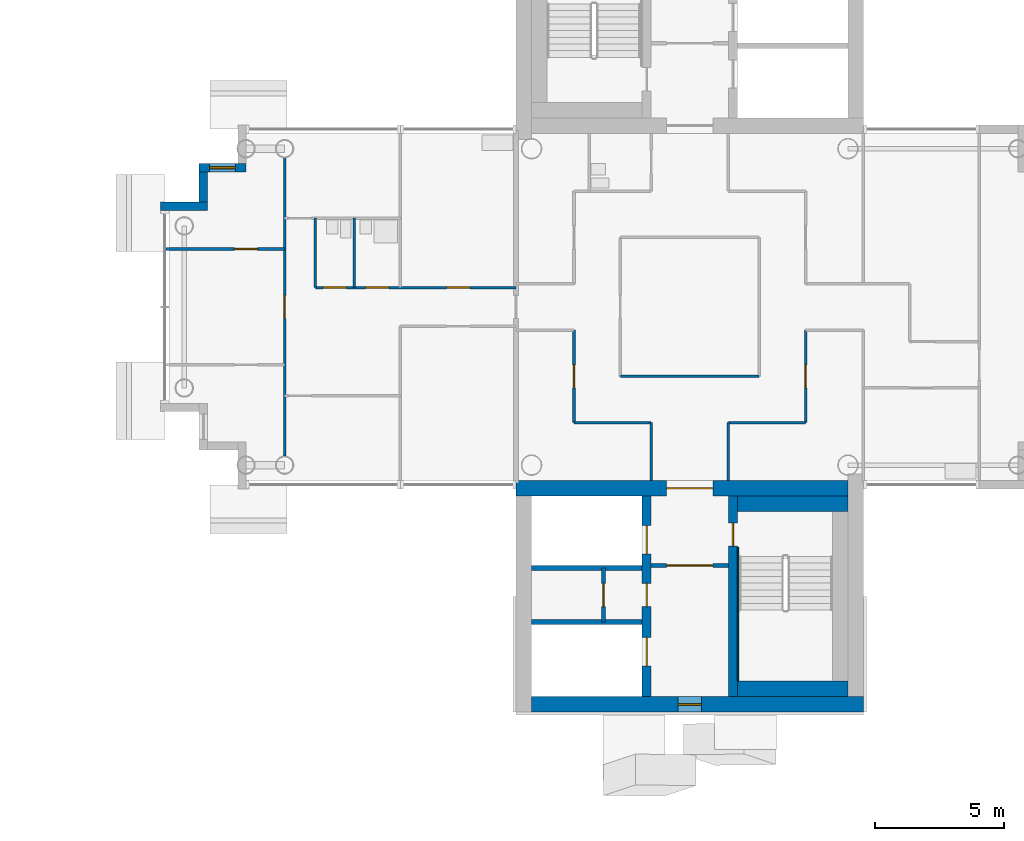
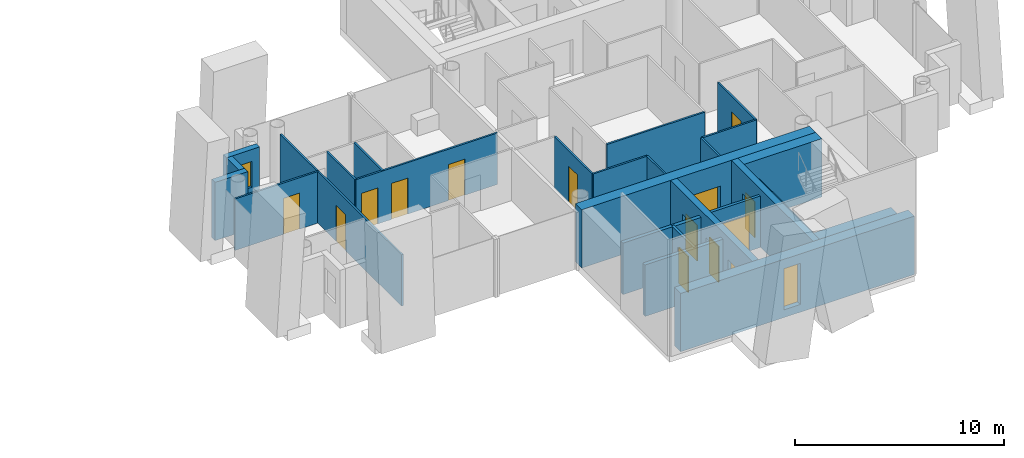
# One storey, part 9 of 18: 26 walls, 14 doors, 2 windows, 16 openings.
"""IFC4 building model written with IfcOpenShell, lengths in metres."""

import ifcopenshell
import ifcopenshell.guid

model = None  # the IFC model being written
_history = None  # IfcOwnerHistory: only IFC2X3 demands one
_inside = {}  # id of a spatial element -> (the spatial element, [elements in it])
_under = {}  # id of a project, library or spatial element -> (it, [spatial elements below it])
_declared = {}  # id of a project -> (the project, [libraries it declares])
_typed = {}  # id of a type object -> (the type object, [elements of that type])
_made_of = {}  # id of a material, layer set ... -> (it, [elements and type objects made of it])


def new_model(schema):
    """Start an empty IFC model of exactly this schema.

    Asked for "IFC4X3", IfcOpenShell would pick the latest addendum, in which some entities
    have other attributes; the version numbers below select the first issue.
    IFC2X3 requires an IfcOwnerHistory on every rooted entity: one is made here for all.
    """
    global model, _history
    if schema == "IFC4X3":
        model = ifcopenshell.file(schema_version=(4, 3, 0, 0))
    else:
        model = ifcopenshell.file(schema=schema)
    _inside.clear()
    _under.clear()
    _declared.clear()
    _typed.clear()
    _made_of.clear()
    _history = None
    if model.schema == "IFC2X3":
        org = make("IfcOrganization", Name="unknown")
        user = make(
            "IfcPersonAndOrganization",
            ThePerson=make("IfcPerson", FamilyName="unknown"),
            TheOrganization=org,
        )
        app = make(
            "IfcApplication",
            ApplicationDeveloper=org,
            Version="unknown",
            ApplicationFullName="unknown",
            ApplicationIdentifier="unknown",
        )
        _history = make(
            "IfcOwnerHistory",
            OwningUser=user,
            OwningApplication=app,
            ChangeAction="ADDED",
            CreationDate=0,
        )
    return model


def make(cls, **values):
    """One entity of the class cls with the attributes given. An attribute that is None is left unset."""
    return model.create_entity(
        cls, **{name: value for name, value in values.items() if value is not None}
    )


def rooted(cls, **values):
    """An entity with a GlobalId (a new one), such as an element, a storey or a relation."""
    return make(cls, GlobalId=ifcopenshell.guid.new(), OwnerHistory=_history, **values)


def si_unit(unit_type, name, prefix=None):
    """IfcSIUnit, for example si_unit("LENGTHUNIT", "METRE", prefix="MILLI")."""
    return make("IfcSIUnit", UnitType=unit_type, Prefix=prefix, Name=name)


def assignment(units):
    """IfcUnitAssignment: the units of a project."""
    return None if units is None else make("IfcUnitAssignment", Units=units)


def point(xyz):
    """IfcCartesianPoint."""
    return None if xyz is None else make("IfcCartesianPoint", Coordinates=xyz)


def direction(xyz):
    """IfcDirection."""
    return None if xyz is None else make("IfcDirection", DirectionRatios=xyz)


def frame(location, z_axis=None, x_axis=None):
    """IfcAxis2Placement3D, a coordinate frame: its origin and axes. An axis left out is left unset."""
    return make(
        "IfcAxis2Placement3D",
        Location=point(location),
        Axis=direction(z_axis),
        RefDirection=direction(x_axis),
    )


def frame_2d(location, x_axis=None):
    """IfcAxis2Placement2D, a coordinate frame in the plane: its origin and x axis."""
    return make(
        "IfcAxis2Placement2D", Location=point(location), RefDirection=direction(x_axis)
    )


def origin():
    """The frame at (0, 0, 0) with its axes left unset."""
    return frame((0.0, 0.0, 0.0))


def place(relative_to, where):
    """IfcLocalPlacement: puts the frame where relative to a parent placement (None: the world)."""
    return make(
        "IfcLocalPlacement", PlacementRelTo=relative_to, RelativePlacement=where
    )


def context(
    kind, dimensions, precision=None, world=None, true_north=None, identifier=None
):
    """IfcGeometricRepresentationContext, for example the 3D "Model" context."""
    return make(
        "IfcGeometricRepresentationContext",
        ContextIdentifier=identifier,
        ContextType=kind,
        CoordinateSpaceDimension=dimensions,
        Precision=precision,
        WorldCoordinateSystem=world,
        TrueNorth=true_north,
    )


def subcontext(parent, identifier, kind, view, scale=None):
    """IfcGeometricRepresentationSubContext, for example "Body" below "Model"."""
    return make(
        "IfcGeometricRepresentationSubContext",
        ContextIdentifier=identifier,
        ContextType=kind,
        ParentContext=parent,
        TargetScale=scale,
        TargetView=view,
    )


def project(units=None, contexts=None):
    """IfcProject with its units and contexts."""
    return rooted(
        "IfcProject",
        Name="project",
        RepresentationContexts=contexts,
        UnitsInContext=assignment(units),
    )


def spatial(cls, under=None, at=None, **own):
    """A site, building, storey or space (cls), placed at a placement, below another one or the project."""
    s = rooted(cls, ObjectPlacement=at, **own)
    if under is not None:
        _under.setdefault(under.id(), (under, []))[1].append(s)
    return s


def profile(cls, at=None, kind="AREA", **sizes):
    """A parametric profile (cls). Its sizes go by their IFC names, for example OverallWidth=200.0."""
    return make(cls, ProfileType=kind, Position=at, **sizes)


def rectangle(**sizes):
    """IfcRectangleProfileDef."""
    return profile("IfcRectangleProfileDef", **sizes)


def extrude(swept, where, along, depth):
    """IfcExtrudedAreaSolid: the profile swept, set in the frame where, extruded along a direction by depth."""
    return make(
        "IfcExtrudedAreaSolid",
        SweptArea=swept,
        Position=where,
        ExtrudedDirection=direction(along),
        Depth=depth,
    )


def shape(context_of_items, identifier, shape_type, items):
    """IfcShapeRepresentation: the items that make up one representation, for example the "Body"."""
    return make(
        "IfcShapeRepresentation",
        ContextOfItems=context_of_items,
        RepresentationIdentifier=identifier,
        RepresentationType=shape_type,
        Items=items,
    )


def material(Name=None, Category=None):
    """IfcMaterial."""
    return make("IfcMaterial", Name=Name, Category=Category)


def layer(
    of_material, thickness, ventilated=None, Name=None, Category=None, Priority=None
):
    """IfcMaterialLayer: one layer of a wall or slab, of a material (None: an air gap)."""
    return make(
        "IfcMaterialLayer",
        Material=of_material,
        LayerThickness=thickness,
        IsVentilated=ventilated,
        Name=Name,
        Category=Category,
        Priority=Priority,
    )


def layer_set(layers, Name=None):
    """IfcMaterialLayerSet."""
    return make("IfcMaterialLayerSet", MaterialLayers=layers, LayerSetName=Name)


def made_of(thing, what):
    """Note that an element or type object is made of a material, layer set ...; save() writes the relation."""
    if what is not None:
        _made_of.setdefault(what.id(), (what, []))[1].append(thing)
    return thing


def type_object(cls, material=None, **own):
    """A type object (cls), such as IfcWallType, which elements share."""
    return made_of(rooted(cls, **own), material)


def element(
    cls,
    number,
    at=None,
    inside=None,
    cuts=None,
    type_object=None,
    material=None,
    context=None,
    identifier="Body",
    shape_type=None,
    held_by="IfcProductDefinitionShape",
    body=None,
    shapes=None,
    **own,
):
    """One element of the class cls, such as IfcWall. Its Tag is "e" and its number.

    at: its placement. inside: the storey or other place that contains it. cuts: it is an
    opening in that element (IfcRelVoidsElement). A single representation is given by context,
    identifier, shape_type and body (its items); several are given by shapes. held_by: the class
    of the entity that holds the representations. save() writes the other relations.
    """
    e = rooted(cls, Tag="e%d" % number, ObjectPlacement=at, **own)
    if body is not None:
        shapes = [shape(context, identifier, shape_type, body)]
    if shapes is not None:
        e.Representation = make(held_by, Representations=shapes)
    if inside is not None:
        _inside.setdefault(inside.id(), (inside, []))[1].append(e)
    if cuts is not None:
        rooted(
            "IfcRelVoidsElement", RelatingBuildingElement=cuts, RelatedOpeningElement=e
        )
    if type_object is not None:
        _typed.setdefault(type_object.id(), (type_object, []))[1].append(e)
    return made_of(e, material)


def fill(opening, filler):
    """IfcRelFillsElement: the door or window that sits in an opening."""
    return rooted(
        "IfcRelFillsElement",
        RelatingOpeningElement=opening,
        RelatedBuildingElement=filler,
    )


def aggregate(whole, parts):
    """IfcRelAggregates: a whole, such as a stair, and the parts it consists of."""
    return rooted("IfcRelAggregates", RelatingObject=whole, RelatedObjects=parts)


def save(model, path):
    """Write the relations noted so far, then the file.

    IfcRelAggregates (storeys below a building ...), IfcRelContainedInSpatialStructure (elements
    in a storey), IfcRelDefinesByType, IfcRelAssociatesMaterial and IfcRelDeclares: one each for
    every whole, place, type object, material and project.
    """
    for whole, parts in _under.values():
        aggregate(whole, parts)
    for where, things in _inside.values():
        rooted(
            "IfcRelContainedInSpatialStructure",
            RelatedElements=things,
            RelatingStructure=where,
        )
    for kind, things in _typed.values():
        rooted("IfcRelDefinesByType", RelatedObjects=things, RelatingType=kind)
    for what, things in _made_of.values():
        rooted("IfcRelAssociatesMaterial", RelatedObjects=things, RelatingMaterial=what)
    for by, libraries in _declared.values():
        rooted("IfcRelDeclares", RelatingContext=by, RelatedDefinitions=libraries)
    model.write(path)


model = new_model("IFC4")

# Units and contexts
model_context = context("Model", 3, precision=1e-05, world=origin(), true_north=direction((0.0, 1.0)))
body_context = subcontext(model_context, "Body", "Model", "MODEL_VIEW")
ifc_project = project(units=[si_unit("LENGTHUNIT", "METRE"), si_unit("AREAUNIT", "SQUARE_METRE"), si_unit("VOLUMEUNIT", "CUBIC_METRE"), si_unit("PLANEANGLEUNIT", "RADIAN"), si_unit("MASSUNIT", "GRAM", prefix="KILO")], contexts=[model_context])

# Site, building, storey
site_placement = place(None, origin())
site = spatial("IfcSite", under=ifc_project, at=site_placement, CompositionType="ELEMENT")
building_placement = place(site_placement, origin())
building = spatial("IfcBuilding", under=site, at=building_placement, Name="Ipe Terrace Towers", CompositionType="ELEMENT")
storey_placement = place(building_placement, frame((0.0, 0.0, 196.0)))
storey = spatial("IfcBuildingStorey", under=building, at=storey_placement, Name="L54", CompositionType="ELEMENT", Elevation=196.0)

# Wall, opening, window
ifc_material_1 = material(Name="Concrete C40/50 with buff precast cladding", Category="concrete")
ifc_layer_1 = layer(ifc_material_1, 0.320068359375)
ifc_layer_set_1 = layer_set([ifc_layer_1], Name="BUFF CLADDING WALL 320")
wall_type_1 = type_object("IfcWallType", Name="BUFF CLADDING WALL 320", PredefinedType="STANDARD", material=ifc_layer_set_1)
wall_1_placement = place(storey_placement, frame((18.75, 5.409912109375, -0.300048828125), z_axis=(0.0, 0.0, 1.0), x_axis=(-1.0, 0.0, 0.0)))
wall_1 = element("IfcWall", 1, at=wall_1_placement, inside=storey, type_object=wall_type_1, Name="T2-W-L54-23a wall", PredefinedType="STANDARD", context=body_context, shape_type="SweptSolid", body=[
    extrude(rectangle(XDim=1.820068359375, YDim=0.320068359375, at=frame_2d((0.91015625, 0.0))), origin(), (0.0, 0.0, 1.0), 3.400146484375),
])
opening_1_placement = place(wall_1_placement, frame((0.409912109375, 0.0, 1.199951171875)))
opening_1 = element("IfcOpeningElement", 2, at=opening_1_placement, cuts=wall_1, Name="Opening T2-W-05-L54-02", PredefinedType="OPENING", context=body_context, shape_type="SweptSolid", body=[
    extrude(rectangle(XDim=1.0, YDim=1.5, at=frame_2d((0.5, 0.75))), frame((0.0, 0.169921875, 0.0), z_axis=(0.0, -1.0, 0.0), x_axis=(1.0, 0.0, 0.0)), (0.0, 0.0, 1.0), 0.340087890625),
])
ifc_material_2 = material(Name="Glass, clear laminated", Category="glass")
window_type_1 = type_object("IfcWindowType", Name="DWELLING WINDOW 1000 x 1500", PartitioningType="SINGLE_PANEL", PredefinedType="WINDOW", material=ifc_material_2)
window_1_placement = place(opening_1_placement, origin())
window_1 = element("IfcWindow", 3, at=window_1_placement, inside=storey, type_object=window_type_1, Name="W-05 window", OverallHeight=1.5, OverallWidth=1.0, PartitioningType="SINGLE_PANEL", PredefinedType="WINDOW", context=body_context, shape_type="SweptSolid", body=[
    extrude(rectangle(XDim=1.0, YDim=1.5, at=frame_2d((0.5, 0.75))), frame((0.0, 0.030029296875, 0.0), z_axis=(0.0, -1.0, 0.0), x_axis=(1.0, 0.0, 0.0)), (0.0, 0.0, 1.0), 0.06005859375),
])
fill(opening_1, window_1)

# Walls
wall_2_placement = place(storey_placement, frame((17.090087890625, 5.25, -0.300048828125), z_axis=(0.0, 0.0, 1.0), x_axis=(0.0, -1.0, 0.0)))
element("IfcWall", 4, at=wall_2_placement, inside=storey, type_object=wall_type_1, Name="T2-W-L54-24a wall", PredefinedType="STANDARD", context=body_context, shape_type="SweptSolid", body=[
    extrude(rectangle(XDim=1.179931640625, YDim=0.320068359375, at=frame_2d((0.58984375, 0.0))), origin(), (0.0, 0.0, 1.0), 3.400146484375),
])
wall_3_placement = place(storey_placement, frame((17.25, 3.909912109375, -0.300048828125), z_axis=(0.0, 0.0, 1.0), x_axis=(-1.0, 0.0, 0.0)))
element("IfcWall", 5, at=wall_3_placement, inside=storey, type_object=wall_type_1, Name="T2-W-L54-25a wall", PredefinedType="STANDARD", context=body_context, shape_type="SweptSolid", body=[
    extrude(rectangle(XDim=1.820068359375, YDim=0.320068359375, at=frame_2d((0.91015625, 0.0))), origin(), (0.0, 0.0, 1.0), 3.400146484375),
])
ifc_material_3 = material(Name="Gypsum board partition", Category="plasterboard")
ifc_layer_2 = layer(ifc_material_3, 0.10009765625)
ifc_layer_set_2 = layer_set([ifc_layer_2], Name="Gypsum board partition 100 mm")
wall_type_2 = type_object("IfcWallType", Name="Gypsum board partition 100 mm", PredefinedType="PARTITIONING", material=ifc_layer_set_2)
for number, where, z_axis, x_axis, name in (
    (6, (40.5, -4.5, 0.0), (0.0, 0.0, 1.0), (-1.0, 0.0, 0.0), "Gypsum board partition T2 L54 W01"),
    (7, (34.5, -4.5, 0.0), (0.0, 0.0, 1.0), (-1.0, 0.0, 0.0), "Gypsum board partition T2 L54 W02"),
):
    element("IfcWall", number, at=place(storey_placement, frame(where, z_axis=z_axis, x_axis=x_axis)), inside=storey, type_object=wall_type_2, Name=name, PredefinedType="PARTITIONING", context=body_context, shape_type="SweptSolid", body=[
        extrude(rectangle(XDim=3.0, YDim=0.10009765625, at=frame_2d((1.5, 0.0))), origin(), (0.0, 0.0, 1.0), 3.0),
    ])
wall_4_placement = place(storey_placement, frame((38.699951171875, -2.699951171875, 0.0), z_axis=(0.0, 0.0, 1.0), x_axis=(-1.0, 0.0, 0.0)))
element("IfcWall", 8, at=wall_4_placement, inside=storey, type_object=wall_type_2, Name="Gypsum board partition T2 L54 W05", PredefinedType="PARTITIONING", context=body_context, shape_type="SweptSolid", body=[
    extrude(rectangle(XDim=5.39990234375, YDim=0.10009765625, at=frame_2d((2.699951171875, 0.0))), origin(), (0.0, 0.0, 1.0), 3.0),
])

# Wall, openings, doors
wall_5_placement = place(storey_placement, frame((29.25, 0.75, 0.0), z_axis=(0.0, 0.0, 1.0), x_axis=(-1.0, 0.0, 0.0)))
wall_5 = element("IfcWall", 9, at=wall_5_placement, inside=storey, type_object=wall_type_2, Name="Gypsum board partition T2 L54 W11", PredefinedType="PARTITIONING", context=body_context, shape_type="SweptSolid", body=[
    extrude(rectangle(XDim=7.800048828125, YDim=0.10009765625, at=frame_2d((3.89990234375, 0.0))), origin(), (0.0, 0.0, 1.0), 3.0),
])
opening_2_placement = place(wall_5_placement, frame((1.800048828125, 0.0, 0.0)))
opening_2 = element("IfcOpeningElement", 10, at=opening_2_placement, cuts=wall_5, Name="Opening T2-Z4D-08", PredefinedType="OPENING", context=body_context, shape_type="SweptSolid", body=[
    extrude(rectangle(XDim=0.89990234375, YDim=2.10009765625, at=frame_2d((0.449951171875, 1.050048828125))), frame((0.0, 0.06005859375, 0.0), z_axis=(0.0, -1.0, 0.0), x_axis=(1.0, 0.0, 0.0)), (0.0, 0.0, 1.0), 0.1201171875),
])
opening_3_placement = place(wall_5_placement, frame((4.949951171875, 0.0, 0.0)))
opening_3 = element("IfcOpeningElement", 11, at=opening_3_placement, cuts=wall_5, Name="Opening T2-Z4D-10", PredefinedType="OPENING", context=body_context, shape_type="SweptSolid", body=[
    extrude(rectangle(XDim=0.89990234375, YDim=2.10009765625, at=frame_2d((0.449951171875, 1.050048828125))), frame((0.0, 0.06005859375, 0.0), z_axis=(0.0, -1.0, 0.0), x_axis=(1.0, 0.0, 0.0)), (0.0, 0.0, 1.0), 0.1201171875),
])
opening_4_placement = place(wall_5_placement, frame((6.60009765625, 0.0, 0.0)))
opening_4 = element("IfcOpeningElement", 12, at=opening_4_placement, cuts=wall_5, Name="Opening T2-Z4D-11", PredefinedType="OPENING", context=body_context, shape_type="SweptSolid", body=[
    extrude(rectangle(XDim=0.89990234375, YDim=2.10009765625, at=frame_2d((0.449951171875, 1.050048828125))), frame((0.0, 0.06005859375, 0.0), z_axis=(0.0, -1.0, 0.0), x_axis=(1.0, 0.0, 0.0)), (0.0, 0.0, 1.0), 0.1201171875),
])
ifc_material_4 = material(Name="Timber door leaf", Category="wood")
door_type_1 = type_object("IfcDoorType", Name="Bathroom door 900 x 2100", OperationType="NOTDEFINED", PredefinedType="DOOR", material=ifc_material_4)
door_1_placement = place(opening_3_placement, origin())
door_1 = element("IfcDoor", 13, at=door_1_placement, inside=storey, type_object=door_type_1, Name="Bathroom door T2-Z4D-10", OperationType="SINGLE_SWING_RIGHT", OverallHeight=2.10009765625, OverallWidth=0.89990234375, PredefinedType="DOOR", context=body_context, shape_type="SweptSolid", body=[
    extrude(rectangle(XDim=0.89990234375, YDim=2.10009765625, at=frame_2d((0.449951171875, 1.050048828125))), frame((0.0, 0.02490234375, 0.0), z_axis=(0.0, -1.0, 0.0), x_axis=(1.0, 0.0, 0.0)), (0.0, 0.0, 1.0), 0.050048828125),
])
fill(opening_3, door_1)
door_2_placement = place(opening_4_placement, origin())
door_2 = element("IfcDoor", 14, at=door_2_placement, inside=storey, type_object=door_type_1, Name="Bathroom door T2-Z4D-11", OperationType="SINGLE_SWING_RIGHT", OverallHeight=2.10009765625, OverallWidth=0.89990234375, PredefinedType="DOOR", context=body_context, shape_type="SweptSolid", body=[
    extrude(rectangle(XDim=0.89990234375, YDim=2.10009765625, at=frame_2d((0.449951171875, 1.050048828125))), frame((0.0, 0.02490234375, 0.0), z_axis=(0.0, -1.0, 0.0), x_axis=(1.0, 0.0, 0.0)), (0.0, 0.0, 1.0), 0.050048828125),
])
fill(opening_4, door_2)
ifc_material_5 = material(Name="Timber door leaf", Category="wood")
door_type_2 = type_object("IfcDoorType", Name="Lounge door 900 x 2100", OperationType="NOTDEFINED", PredefinedType="DOOR", material=ifc_material_5)
door_3_placement = place(opening_2_placement, origin())
door_3 = element("IfcDoor", 15, at=door_3_placement, inside=storey, type_object=door_type_2, Name="Lounge door T2-Z4D-08", OperationType="SINGLE_SWING_LEFT", OverallHeight=2.10009765625, OverallWidth=0.89990234375, PredefinedType="DOOR", context=body_context, shape_type="SweptSolid", body=[
    extrude(rectangle(XDim=0.89990234375, YDim=2.10009765625, at=frame_2d((0.449951171875, 1.050048828125))), frame((0.0, 0.02490234375, 0.0), z_axis=(0.0, -1.0, 0.0), x_axis=(1.0, 0.0, 0.0)), (0.0, 0.0, 1.0), 0.050048828125),
])
fill(opening_2, door_3)

# Wall, opening, door
wall_6_placement = place(storey_placement, frame((20.25, 2.25, 0.0), z_axis=(0.0, 0.0, 1.0), x_axis=(-1.0, 0.0, 0.0)))
wall_6 = element("IfcWall", 16, at=wall_6_placement, inside=storey, type_object=wall_type_2, Name="Gypsum board partition T2 L54 W14", PredefinedType="PARTITIONING", context=body_context, shape_type="SweptSolid", body=[
    extrude(rectangle(XDim=4.60009765625, YDim=0.10009765625, at=frame_2d((2.300048828125, 0.0))), origin(), (0.0, 0.0, 1.0), 3.0),
])
opening_5_placement = place(wall_6_placement, frame((1.050048828125, 0.0, 0.0)))
opening_5 = element("IfcOpeningElement", 17, at=opening_5_placement, cuts=wall_6, Name="Opening T2-Z4D-16", PredefinedType="OPENING", context=body_context, shape_type="SweptSolid", body=[
    extrude(rectangle(XDim=0.89990234375, YDim=2.10009765625, at=frame_2d((0.449951171875, 1.050048828125))), frame((0.0, 0.06005859375, 0.0), z_axis=(0.0, -1.0, 0.0), x_axis=(1.0, 0.0, 0.0)), (0.0, 0.0, 1.0), 0.1201171875),
])
ifc_material_6 = material(Name="Timber door leaf", Category="wood")
door_type_3 = type_object("IfcDoorType", Name="Bedroom door 900 x 2100", OperationType="NOTDEFINED", PredefinedType="DOOR", material=ifc_material_6)
door_4_placement = place(opening_5_placement, origin())
door_4 = element("IfcDoor", 18, at=door_4_placement, inside=storey, type_object=door_type_3, Name="Bedroom door T2-Z4D-16", OperationType="SINGLE_SWING_LEFT", OverallHeight=2.10009765625, OverallWidth=0.89990234375, PredefinedType="DOOR", context=body_context, shape_type="SweptSolid", body=[
    extrude(rectangle(XDim=0.89990234375, YDim=2.10009765625, at=frame_2d((0.449951171875, 1.050048828125))), frame((0.0, 0.02490234375, 0.0), z_axis=(0.0, -1.0, 0.0), x_axis=(1.0, 0.0, 0.0)), (0.0, 0.0, 1.0), 0.050048828125),
])
fill(opening_5, door_4)

wall_7_placement = place(storey_placement, frame((40.5, -4.5, 0.0), z_axis=(0.0, 0.0, 1.0), x_axis=(0.0, 1.0, 0.0)))
wall_7 = element("IfcWall", 19, at=wall_7_placement, inside=storey, type_object=wall_type_2, Name="Gypsum board partition T2 L54 W23", PredefinedType="PARTITIONING", context=body_context, shape_type="SweptSolid", body=[
    extrude(rectangle(XDim=3.60009765625, YDim=0.10009765625, at=frame_2d((1.800048828125, 0.0))), origin(), (0.0, 0.0, 1.0), 3.0),
])
opening_6_placement = place(wall_7_placement, frame((1.35009765625, 0.0, 0.0)))
opening_6 = element("IfcOpeningElement", 20, at=opening_6_placement, cuts=wall_7, Name="Opening T2-Z4D-05", PredefinedType="OPENING", context=body_context, shape_type="SweptSolid", body=[
    extrude(rectangle(XDim=0.89990234375, YDim=2.10009765625, at=frame_2d((0.449951171875, 1.050048828125))), frame((0.0, 0.06005859375, 0.0), z_axis=(0.0, -1.0, 0.0), x_axis=(1.0, 0.0, 0.0)), (0.0, 0.0, 1.0), 0.1201171875),
])
door_5_placement = place(opening_6_placement, origin())
door_5 = element("IfcDoor", 21, at=door_5_placement, inside=storey, type_object=door_type_2, Name="Lounge door T2-Z4D-05", OperationType="SINGLE_SWING_RIGHT", OverallHeight=2.10009765625, OverallWidth=0.89990234375, PredefinedType="DOOR", context=body_context, shape_type="SweptSolid", body=[
    extrude(rectangle(XDim=0.89990234375, YDim=2.10009765625, at=frame_2d((0.449951171875, 1.050048828125))), frame((0.0, 0.02490234375, 0.0), z_axis=(0.0, -1.0, 0.0), x_axis=(1.0, 0.0, 0.0)), (0.0, 0.0, 1.0), 0.050048828125),
])
fill(opening_6, door_5)

# Walls
for number, where, z_axis, x_axis, name in (
    (22, (37.5, -6.75, 0.0), (0.0, 0.0, 1.0), (0.0, 1.0, 0.0), "Gypsum board partition T2 L54 W26"),
    (23, (34.5, -6.75, 0.0), (0.0, 0.0, 1.0), (0.0, 1.0, 0.0), "Gypsum board partition T2 L54 W28"),
):
    element("IfcWall", number, at=place(storey_placement, frame(where, z_axis=z_axis, x_axis=x_axis)), inside=storey, type_object=wall_type_2, Name=name, PredefinedType="PARTITIONING", context=body_context, shape_type="SweptSolid", body=[
        extrude(rectangle(XDim=2.25, YDim=0.10009765625, at=frame_2d((1.125, 0.0))), origin(), (0.0, 0.0, 1.0), 3.0),
    ])

# Wall, opening, door
wall_8_placement = place(storey_placement, frame((31.5, -4.5, 0.0), z_axis=(0.0, 0.0, 1.0), x_axis=(0.0, 1.0, 0.0)))
wall_8 = element("IfcWall", 24, at=wall_8_placement, inside=storey, type_object=wall_type_2, Name="Gypsum board partition T2 L54 W32", PredefinedType="PARTITIONING", context=body_context, shape_type="SweptSolid", body=[
    extrude(rectangle(XDim=3.60009765625, YDim=0.10009765625, at=frame_2d((1.800048828125, 0.0))), origin(), (0.0, 0.0, 1.0), 3.0),
])
opening_7_placement = place(wall_8_placement, frame((1.35009765625, 0.0, 0.0)))
opening_7 = element("IfcOpeningElement", 25, at=opening_7_placement, cuts=wall_8, Name="Opening T2-Z4D-04", PredefinedType="OPENING", context=body_context, shape_type="SweptSolid", body=[
    extrude(rectangle(XDim=0.89990234375, YDim=2.10009765625, at=frame_2d((0.449951171875, 1.050048828125))), frame((0.0, 0.06005859375, 0.0), z_axis=(0.0, -1.0, 0.0), x_axis=(1.0, 0.0, 0.0)), (0.0, 0.0, 1.0), 0.1201171875),
])
door_6_placement = place(opening_7_placement, origin())
door_6 = element("IfcDoor", 26, at=door_6_placement, inside=storey, type_object=door_type_2, Name="Lounge door T2-Z4D-04", OperationType="SINGLE_SWING_LEFT", OverallHeight=2.10009765625, OverallWidth=0.89990234375, PredefinedType="DOOR", context=body_context, shape_type="SweptSolid", body=[
    extrude(rectangle(XDim=0.89990234375, YDim=2.10009765625, at=frame_2d((0.449951171875, 1.050048828125))), frame((0.0, 0.02490234375, 0.0), z_axis=(0.0, -1.0, 0.0), x_axis=(1.0, 0.0, 0.0)), (0.0, 0.0, 1.0), 0.050048828125),
])
fill(opening_7, door_6)

# Walls
for number, where, z_axis, x_axis, name in (
    (27, (22.949951171875, 0.75, 0.0), (0.0, 0.0, 1.0), (0.0, 1.0, 0.0), "Gypsum board partition T2 L54 W37"),
    (28, (21.449951171875, 0.75, 0.0), (0.0, 0.0, 1.0), (0.0, 1.0, 0.0), "Gypsum board partition T2 L54 W38"),
):
    element("IfcWall", number, at=place(storey_placement, frame(where, z_axis=z_axis, x_axis=x_axis)), inside=storey, type_object=wall_type_2, Name=name, PredefinedType="PARTITIONING", context=body_context, shape_type="SweptSolid", body=[
        extrude(rectangle(XDim=2.699951171875, YDim=0.10009765625, at=frame_2d((1.35009765625, 0.0))), origin(), (0.0, 0.0, 1.0), 3.0),
    ])

# Wall, opening, door
wall_9_placement = place(storey_placement, frame((20.25, -5.800048828125, 0.0), z_axis=(0.0, 0.0, 1.0), x_axis=(0.0, 1.0, 0.0)))
wall_9 = element("IfcWall", 29, at=wall_9_placement, inside=storey, type_object=wall_type_2, Name="Gypsum board partition T2 L54 W39", PredefinedType="PARTITIONING", context=body_context, shape_type="SweptSolid", body=[
    extrude(rectangle(XDim=11.60009765625, YDim=0.10009765625, at=frame_2d((5.800048828125, 0.0))), origin(), (0.0, 0.0, 1.0), 3.0),
])
opening_8_placement = place(wall_9_placement, frame((5.35009765625, 0.0, 0.0)))
opening_8 = element("IfcOpeningElement", 30, at=opening_8_placement, cuts=wall_9, Name="Opening T2-Z4D-14", PredefinedType="OPENING", context=body_context, shape_type="SweptSolid", body=[
    extrude(rectangle(XDim=0.89990234375, YDim=2.10009765625, at=frame_2d((0.449951171875, 1.050048828125))), frame((0.0, 0.06005859375, 0.0), z_axis=(0.0, -1.0, 0.0), x_axis=(1.0, 0.0, 0.0)), (0.0, 0.0, 1.0), 0.1201171875),
])
door_7_placement = place(opening_8_placement, origin())
door_7 = element("IfcDoor", 31, at=door_7_placement, inside=storey, type_object=door_type_2, Name="Lounge door T2-Z4D-14", OperationType="SINGLE_SWING_LEFT", OverallHeight=2.10009765625, OverallWidth=0.89990234375, PredefinedType="DOOR", context=body_context, shape_type="SweptSolid", body=[
    extrude(rectangle(XDim=0.89990234375, YDim=2.10009765625, at=frame_2d((0.449951171875, 1.050048828125))), frame((0.0, 0.02490234375, 0.0), z_axis=(0.0, -1.0, 0.0), x_axis=(1.0, 0.0, 0.0)), (0.0, 0.0, 1.0), 0.050048828125),
])
fill(opening_8, door_7)

ifc_material_7 = material(Name="Gypsum board partition", Category="plasterboard")
ifc_layer_3 = layer(ifc_material_7, 0.14990234375)
ifc_layer_set_3 = layer_set([ifc_layer_3], Name="Gypsum board partition 150 mm")
wall_type_3 = type_object("IfcWallType", Name="Gypsum board partition 150 mm", PredefinedType="PARTITIONING", material=ifc_layer_set_3)
wall_10_placement = place(storey_placement, frame((34.5, -10.050048828125, 0.0), z_axis=(0.0, 0.0, 1.0), x_axis=(1.0, 0.0, 0.0)))
wall_10 = element("IfcWall", 32, at=wall_10_placement, inside=storey, type_object=wall_type_3, Name="Gypsum board partition T2 L54 t2c2-lobby-wall", PredefinedType="PARTITIONING", context=body_context, shape_type="SweptSolid", body=[
    extrude(rectangle(XDim=3.0, YDim=0.14990234375, at=frame_2d((1.5, 0.0))), origin(), (0.0, 0.0, 1.0), 3.0),
])
opening_9_placement = place(wall_10_placement, frame((0.60009765625, 0.0, 0.0)))
opening_9 = element("IfcOpeningElement", 33, at=opening_9_placement, cuts=wall_10, Name="Opening T2C2-VD", PredefinedType="OPENING", context=body_context, shape_type="SweptSolid", body=[
    extrude(rectangle(XDim=1.800048828125, YDim=2.10009765625, at=frame_2d((0.89990234375, 1.050048828125))), frame((0.0, 0.0849609375, 0.0), z_axis=(0.0, -1.0, 0.0), x_axis=(1.0, 0.0, 0.0)), (0.0, 0.0, 1.0), 0.169921875),
])
ifc_material_8 = material(Name="Fire-rated timber door leaf", Category="wood")
door_type_4 = type_object("IfcDoorType", Name="Lobby door 1800 x 2100 FD60", OperationType="NOTDEFINED", PredefinedType="DOOR", material=ifc_material_8)
door_8_placement = place(opening_9_placement, origin())
door_8 = element("IfcDoor", 34, at=door_8_placement, inside=storey, type_object=door_type_4, Name="Lobby door T2C2-VD", OperationType="SINGLE_SWING_LEFT", OverallHeight=2.10009765625, OverallWidth=1.800048828125, PredefinedType="DOOR", context=body_context, shape_type="SweptSolid", body=[
    extrude(rectangle(XDim=1.800048828125, YDim=2.10009765625, at=frame_2d((0.89990234375, 1.050048828125))), frame((0.0, 0.02490234375, 0.0), z_axis=(0.0, -1.0, 0.0), x_axis=(1.0, 0.0, 0.0)), (0.0, 0.0, 1.0), 0.050048828125),
])
fill(opening_9, door_8)

wall_11_placement = place(storey_placement, frame((32.64990234375, -10.14990234375, 0.0), z_axis=(0.0, 0.0, 1.0), x_axis=(0.0, -1.0, 0.0)))
wall_11 = element("IfcWall", 35, at=wall_11_placement, inside=storey, type_object=wall_type_3, Name="Gypsum board partition T2 L54 t2c2-q-back", PredefinedType="PARTITIONING", context=body_context, shape_type="SweptSolid", body=[
    extrude(rectangle(XDim=2.10009765625, YDim=0.14990234375, at=frame_2d((1.050048828125, 0.0))), origin(), (0.0, 0.0, 1.0), 3.0),
])
opening_10_placement = place(wall_11_placement, frame((0.60009765625, 0.0, 0.0)))
opening_10 = element("IfcOpeningElement", 36, at=opening_10_placement, cuts=wall_11, Name="Opening T2C2-RB", PredefinedType="OPENING", context=body_context, shape_type="SweptSolid", body=[
    extrude(rectangle(XDim=0.89990234375, YDim=2.10009765625, at=frame_2d((0.449951171875, 1.050048828125))), frame((0.0, 0.0849609375, 0.0), z_axis=(0.0, -1.0, 0.0), x_axis=(1.0, 0.0, 0.0)), (0.0, 0.0, 1.0), 0.169921875),
])
ifc_material_9 = material(Name="Fire-rated timber door leaf", Category="wood")
door_type_5 = type_object("IfcDoorType", Name="Service door 900 x 2100 FD60", OperationType="NOTDEFINED", PredefinedType="DOOR", material=ifc_material_9)
door_9_placement = place(opening_10_placement, origin())
door_9 = element("IfcDoor", 37, at=door_9_placement, inside=storey, type_object=door_type_5, Name="Service door T2C2-RB", OperationType="SINGLE_SWING_LEFT", OverallHeight=2.10009765625, OverallWidth=0.89990234375, PredefinedType="DOOR", context=body_context, shape_type="SweptSolid", body=[
    extrude(rectangle(XDim=0.89990234375, YDim=2.10009765625, at=frame_2d((0.449951171875, 1.050048828125))), frame((0.0, 0.02490234375, 0.0), z_axis=(0.0, -1.0, 0.0), x_axis=(1.0, 0.0, 0.0)), (0.0, 0.0, 1.0), 0.050048828125),
])
fill(opening_10, door_9)

# Walls
ifc_material_10 = material(Name="Gypsum board party wall", Category="plasterboard")
ifc_layer_4 = layer(ifc_material_10, 0.199951171875)
ifc_layer_set_4 = layer_set([ifc_layer_4], Name="Gypsum board party wall 200 mm")
wall_type_4 = type_object("IfcWallType", Name="Gypsum board party wall 200 mm", PredefinedType="SOLIDWALL", material=ifc_layer_set_4)
for number, where, z_axis, x_axis, name in (
    (38, (29.85009765625, -12.25, 0.0), (0.0, 0.0, 1.0), (1.0, 0.0, 0.0), "Gypsum board party wall T2 L54 t2c2-shaft-div2"),
    (39, (29.85009765625, -10.14990234375, 0.0), (0.0, 0.0, 1.0), (1.0, 0.0, 0.0), "Gypsum board party wall T2 L54 t2c2-shaft-div1"),
):
    element("IfcWall", number, at=place(storey_placement, frame(where, z_axis=z_axis, x_axis=x_axis)), inside=storey, type_object=wall_type_4, Name=name, PredefinedType="SOLIDWALL", context=body_context, shape_type="SweptSolid", body=[
        extrude(rectangle(XDim=4.2998046875, YDim=0.199951171875, at=frame_2d((2.14990234375, 0.0))), origin(), (0.0, 0.0, 1.0), 3.0),
    ])

# Wall, openings, doors
ifc_material_11 = material(Name="Concrete C40/50", Category="concrete")
ifc_layer_5 = layer(ifc_material_11, 0.35009765625)
ifc_layer_set_5 = layer_set([ifc_layer_5], Name="RW350 CORE SPINE WALL 350 C40-50")
wall_type_5 = type_object("IfcWallType", Name="RW350 CORE SPINE WALL 350 C40-50", PredefinedType="SHEAR", material=ifc_layer_set_5)
wall_12_placement = place(storey_placement, frame((34.324951171875, -15.14990234375, 0.0), z_axis=(0.0, 0.0, 1.0), x_axis=(0.0, 1.0, 0.0)))
wall_12 = element("IfcWall", 40, at=wall_12_placement, inside=storey, type_object=wall_type_5, Name="Core spine wall T2-C2-Z4-SW1", PredefinedType="SHEAR", context=body_context, shape_type="SweptSolid", body=[
    extrude(rectangle(XDim=7.7998046875, YDim=0.35009765625, at=frame_2d((3.89990234375, 0.0))), origin(), (0.0, 0.0, 1.0), 3.39990234375),
])
opening_11_placement = place(wall_12_placement, frame((5.550048828125, 0.0, 0.0)))
opening_11 = element("IfcOpeningElement", 41, at=opening_11_placement, cuts=wall_12, Name="Opening T2C2-LD1", PredefinedType="OPENING", context=body_context, shape_type="SweptSolid", body=[
    extrude(rectangle(XDim=1.10009765625, YDim=2.10009765625, at=frame_2d((0.550048828125, 1.050048828125))), frame((0.0, 0.18505859375, 0.0), z_axis=(0.0, -1.0, 0.0), x_axis=(1.0, 0.0, 0.0)), (0.0, 0.0, 1.0), 0.3701171875),
])
opening_12_placement = place(wall_12_placement, frame((1.199951171875, 0.0, 0.0)))
opening_12 = element("IfcOpeningElement", 42, at=opening_12_placement, cuts=wall_12, Name="Opening T2C2-LD3", PredefinedType="OPENING", context=body_context, shape_type="SweptSolid", body=[
    extrude(rectangle(XDim=1.10009765625, YDim=2.10009765625, at=frame_2d((0.550048828125, 1.050048828125))), frame((0.0, 0.18505859375, 0.0), z_axis=(0.0, -1.0, 0.0), x_axis=(1.0, 0.0, 0.0)), (0.0, 0.0, 1.0), 0.3701171875),
])
opening_13_placement = place(wall_12_placement, frame((3.5, 0.0, 0.0)))
opening_13 = element("IfcOpeningElement", 43, at=opening_13_placement, cuts=wall_12, Name="Opening T2C2-R1", PredefinedType="OPENING", context=body_context, shape_type="SweptSolid", body=[
    extrude(rectangle(XDim=0.89990234375, YDim=2.10009765625, at=frame_2d((0.449951171875, 1.050048828125))), frame((0.0, 0.18505859375, 0.0), z_axis=(0.0, -1.0, 0.0), x_axis=(1.0, 0.0, 0.0)), (0.0, 0.0, 1.0), 0.3701171875),
])
ifc_material_12 = material(Name="Fire-rated timber door leaf", Category="wood")
door_type_6 = type_object("IfcDoorType", Name="Sliding door 1100 x 2100 FD60", OperationType="SLIDING_TO_LEFT", PredefinedType="DOOR", material=ifc_material_12)
door_10_placement = place(opening_11_placement, origin())
door_10 = element("IfcDoor", 44, at=door_10_placement, inside=storey, type_object=door_type_6, Name="Sliding door T2C2-LD1", OperationType="SLIDING_TO_LEFT", OverallHeight=2.10009765625, OverallWidth=1.10009765625, PredefinedType="DOOR", context=body_context, shape_type="SweptSolid", body=[
    extrude(rectangle(XDim=1.10009765625, YDim=2.10009765625, at=frame_2d((0.550048828125, 1.050048828125))), frame((0.0, 0.02490234375, 0.0), z_axis=(0.0, -1.0, 0.0), x_axis=(1.0, 0.0, 0.0)), (0.0, 0.0, 1.0), 0.050048828125),
])
fill(opening_11, door_10)
door_11_placement = place(opening_12_placement, origin())
door_11 = element("IfcDoor", 45, at=door_11_placement, inside=storey, type_object=door_type_6, Name="Sliding door T2C2-LD3", OperationType="SLIDING_TO_LEFT", OverallHeight=2.10009765625, OverallWidth=1.10009765625, PredefinedType="DOOR", context=body_context, shape_type="SweptSolid", body=[
    extrude(rectangle(XDim=1.10009765625, YDim=2.10009765625, at=frame_2d((0.550048828125, 1.050048828125))), frame((0.0, 0.02490234375, 0.0), z_axis=(0.0, -1.0, 0.0), x_axis=(1.0, 0.0, 0.0)), (0.0, 0.0, 1.0), 0.050048828125),
])
fill(opening_12, door_11)
ifc_material_13 = material(Name="Timber door leaf", Category="wood")
door_type_7 = type_object("IfcDoorType", Name="Store door 900 x 2100", OperationType="NOTDEFINED", PredefinedType="DOOR", material=ifc_material_13)
door_12_placement = place(opening_13_placement, origin())
door_12 = element("IfcDoor", 46, at=door_12_placement, inside=storey, type_object=door_type_7, Name="Store door T2C2-R1", OperationType="SINGLE_SWING_LEFT", OverallHeight=2.10009765625, OverallWidth=0.89990234375, PredefinedType="DOOR", context=body_context, shape_type="SweptSolid", body=[
    extrude(rectangle(XDim=0.89990234375, YDim=2.10009765625, at=frame_2d((0.449951171875, 1.050048828125))), frame((0.0, 0.02490234375, 0.0), z_axis=(0.0, -1.0, 0.0), x_axis=(1.0, 0.0, 0.0)), (0.0, 0.0, 1.0), 0.050048828125),
])
fill(opening_13, door_12)

# Wall, opening, door
wall_13_placement = place(storey_placement, frame((37.675048828125, -15.14990234375, 0.0), z_axis=(0.0, 0.0, 1.0), x_axis=(0.0, 1.0, 0.0)))
wall_13 = element("IfcWall", 47, at=wall_13_placement, inside=storey, type_object=wall_type_5, Name="Core spine wall T2-C2-Z4-SW2", PredefinedType="SHEAR", context=body_context, shape_type="SweptSolid", body=[
    extrude(rectangle(XDim=7.7998046875, YDim=0.35009765625, at=frame_2d((3.89990234375, 0.0))), origin(), (0.0, 0.0, 1.0), 3.39990234375),
])
opening_14_placement = place(wall_13_placement, frame((5.85009765625, 0.0, 0.0)))
opening_14 = element("IfcOpeningElement", 48, at=opening_14_placement, cuts=wall_13, Name="Opening T2C2-SD", PredefinedType="OPENING", context=body_context, shape_type="SweptSolid", body=[
    extrude(rectangle(XDim=0.89990234375, YDim=2.10009765625, at=frame_2d((0.449951171875, 1.050048828125))), frame((0.0, 0.18505859375, 0.0), z_axis=(0.0, -1.0, 0.0), x_axis=(1.0, 0.0, 0.0)), (0.0, 0.0, 1.0), 0.3701171875),
])
ifc_material_14 = material(Name="Fire-rated timber door leaf", Category="wood")
door_type_8 = type_object("IfcDoorType", Name="Stair door 900 x 2100 FD60", OperationType="NOTDEFINED", PredefinedType="DOOR", material=ifc_material_14)
door_13_placement = place(opening_14_placement, origin())
door_13 = element("IfcDoor", 49, at=door_13_placement, inside=storey, type_object=door_type_8, Name="Stair door T2C2-SD", OperationType="SINGLE_SWING_RIGHT", OverallHeight=2.10009765625, OverallWidth=0.89990234375, PredefinedType="DOOR", context=body_context, shape_type="SweptSolid", body=[
    extrude(rectangle(XDim=0.89990234375, YDim=2.10009765625, at=frame_2d((0.449951171875, 1.050048828125))), frame((0.0, 0.02490234375, 0.0), z_axis=(0.0, -1.0, 0.0), x_axis=(1.0, 0.0, 0.0)), (0.0, 0.0, 1.0), 0.050048828125),
])
fill(opening_14, door_13)

# Walls
ifc_material_15 = material(Name="Concrete C40/50", Category="concrete")
ifc_layer_6 = layer(ifc_material_15, 0.050048828125)
ifc_layer_set_6 = layer_set([ifc_layer_6], Name="RW50 CORE INFILL WALL 50 C40-50")
wall_type_6 = type_object("IfcWallType", Name="RW50 CORE INFILL WALL 50 C40-50", PredefinedType="SHEAR", material=ifc_layer_set_6)
wall_14_placement = place(storey_placement, frame((37.875, -9.35009765625, 0.0), z_axis=(0.0, 0.0, 1.0), x_axis=(0.0, -1.0, 0.0)))
element("IfcWall", 50, at=wall_14_placement, inside=storey, type_object=wall_type_6, Name="Core infill wall T2-C2-spine-b", PredefinedType="SHEAR", context=body_context, shape_type="SweptSolid", body=[
    extrude(rectangle(XDim=5.199951171875, YDim=0.050048828125, at=frame_2d((2.60009765625, 0.0))), origin(), (0.0, 0.0, 1.0), 3.39990234375),
])
ifc_material_16 = material(Name="Concrete C40/50", Category="concrete")
ifc_layer_7 = layer(ifc_material_16, 0.60009765625)
ifc_layer_set_7 = layer_set([ifc_layer_7], Name="RW600 CORE INFILL WALL 600 C40-50")
wall_type_7 = type_object("IfcWallType", Name="RW600 CORE INFILL WALL 600 C40-50", PredefinedType="SHEAR", material=ifc_layer_set_7)
for number, where, z_axis, x_axis, name in (
    (51, (37.85009765625, -14.85009765625, 0.0), (0.0, 0.0, 1.0), (1.0, 0.0, 0.0), "Core infill wall T2-C2-far"),
    (52, (37.85009765625, -7.64990234375, 0.0), (0.0, 0.0, 1.0), (1.0, 0.0, 0.0), "Core infill wall T2-C2-near"),
):
    element("IfcWall", number, at=place(storey_placement, frame(where, z_axis=z_axis, x_axis=x_axis)), inside=storey, type_object=wall_type_7, Name=name, PredefinedType="SHEAR", context=body_context, shape_type="SweptSolid", body=[
        extrude(rectangle(XDim=4.2998046875, YDim=0.60009765625, at=frame_2d((2.14990234375, 0.0))), origin(), (0.0, 0.0, 1.0), 3.39990234375),
    ])

# Wall, opening, window
ifc_material_17 = material(Name="Concrete C40/50", Category="concrete")
ifc_layer_8 = layer(ifc_material_17, 0.60009765625)
ifc_layer_set_8 = layer_set([ifc_layer_8], Name="RW600 CORE WALL 600 C40-50")
wall_type_8 = type_object("IfcWallType", Name="RW600 CORE WALL 600 C40-50", PredefinedType="SHEAR", material=ifc_layer_set_8)
wall_15_placement = place(storey_placement, frame((29.85009765625, -15.449951171875, 0.0), z_axis=(0.0, 0.0, 1.0), x_axis=(1.0, 0.0, 0.0)))
wall_15 = element("IfcWall", 53, at=wall_15_placement, inside=storey, type_object=wall_type_8, Name="Core wall T2-C2-Z4-W01", PredefinedType="SHEAR", context=body_context, shape_type="SweptSolid", body=[
    extrude(rectangle(XDim=12.89990234375, YDim=0.60009765625, at=frame_2d((6.449951171875, 0.0))), origin(), (0.0, 0.0, 1.0), 3.39990234375),
])
opening_15_placement = place(wall_15_placement, frame((5.699951171875, 0.0, 0.449951171875)))
opening_15 = element("IfcOpeningElement", 54, at=opening_15_placement, cuts=wall_15, Name="Opening T2-C2-W-01-L54", PredefinedType="OPENING", context=body_context, shape_type="SweptSolid", body=[
    extrude(rectangle(XDim=0.89990234375, YDim=2.39990234375, at=frame_2d((0.449951171875, 1.199951171875))), frame((0.0, 0.31005859375, 0.0), z_axis=(0.0, -1.0, 0.0), x_axis=(1.0, 0.0, 0.0)), (0.0, 0.0, 1.0), 0.6201171875),
])
ifc_material_18 = material(Name="Fire-resistant glazing EI 60", Category="glass")
window_type_2 = type_object("IfcWindowType", Name="CORRIDOR END SLOT WINDOW 900 x 2400 EI 60", PartitioningType="SINGLE_PANEL", PredefinedType="WINDOW", material=ifc_material_18)
window_2_placement = place(opening_15_placement, origin())
window_2 = element("IfcWindow", 55, at=window_2_placement, inside=storey, type_object=window_type_2, Name="W-01 window", OverallHeight=2.39990234375, OverallWidth=0.89990234375, PartitioningType="SINGLE_PANEL", PredefinedType="WINDOW", context=body_context, shape_type="SweptSolid", body=[
    extrude(rectangle(XDim=0.89990234375, YDim=2.39990234375, at=frame_2d((0.449951171875, 1.199951171875))), frame((0.0, 0.030029296875, 0.0), z_axis=(0.0, -1.0, 0.0), x_axis=(1.0, 0.0, 0.0)), (0.0, 0.0, 1.0), 0.06005859375),
])
fill(opening_15, window_2)

# Wall, opening, door
wall_16_placement = place(storey_placement, frame((42.14990234375, -7.050048828125, 0.0), z_axis=(0.0, 0.0, 1.0), x_axis=(-1.0, 0.0, 0.0)))
wall_16 = element("IfcWall", 56, at=wall_16_placement, inside=storey, type_object=wall_type_8, Name="Core wall T2-C2-Z4-W03", PredefinedType="SHEAR", context=body_context, shape_type="SweptSolid", body=[
    extrude(rectangle(XDim=12.89990234375, YDim=0.60009765625, at=frame_2d((6.449951171875, 0.0))), origin(), (0.0, 0.0, 1.0), 3.39990234375),
])
opening_16_placement = place(wall_16_placement, frame((5.25, 0.0, 0.0)))
opening_16 = element("IfcOpeningElement", 57, at=opening_16_placement, cuts=wall_16, Name="Opening T2C2-ND", PredefinedType="OPENING", context=body_context, shape_type="SweptSolid", body=[
    extrude(rectangle(XDim=1.800048828125, YDim=2.10009765625, at=frame_2d((0.89990234375, 1.050048828125))), frame((0.0, 0.31005859375, 0.0), z_axis=(0.0, -1.0, 0.0), x_axis=(1.0, 0.0, 0.0)), (0.0, 0.0, 1.0), 0.6201171875),
])
ifc_material_19 = material(Name="Fire-rated timber door leaf", Category="wood")
door_type_9 = type_object("IfcDoorType", Name="Fire door 1800 x 2100 FD30S", OperationType="NOTDEFINED", PredefinedType="DOOR", material=ifc_material_19)
door_14_placement = place(opening_16_placement, origin())
door_14 = element("IfcDoor", 58, at=door_14_placement, inside=storey, type_object=door_type_9, Name="Fire door T2C2-ND", OperationType="SINGLE_SWING_LEFT", OverallHeight=2.10009765625, OverallWidth=1.800048828125, PredefinedType="DOOR", context=body_context, shape_type="SweptSolid", body=[
    extrude(rectangle(XDim=1.800048828125, YDim=2.10009765625, at=frame_2d((0.89990234375, 1.050048828125))), frame((0.0, 0.02490234375, 0.0), z_axis=(0.0, -1.0, 0.0), x_axis=(1.0, 0.0, 0.0)), (0.0, 0.0, 1.0), 0.050048828125),
])
fill(opening_16, door_14)

save(model, "model.ifc")
